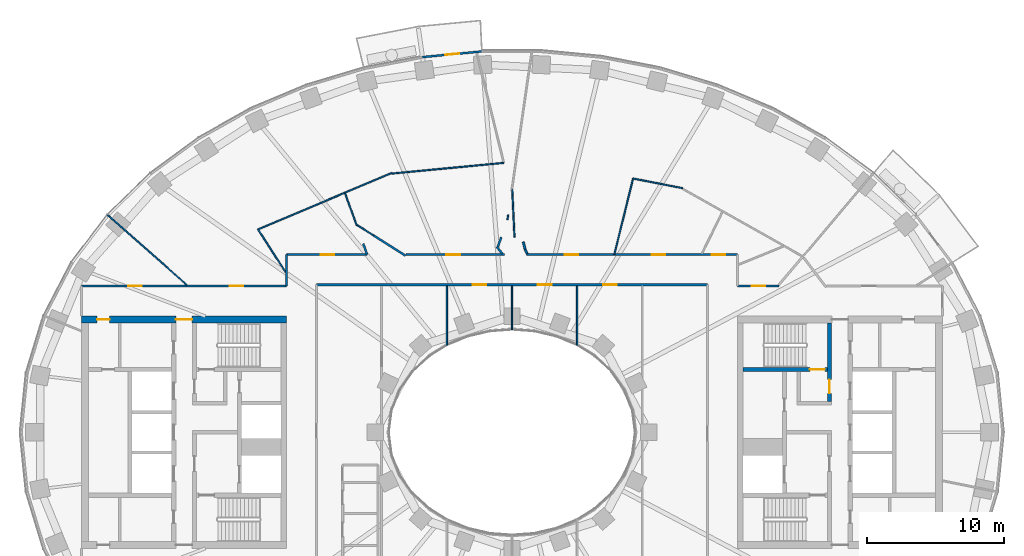
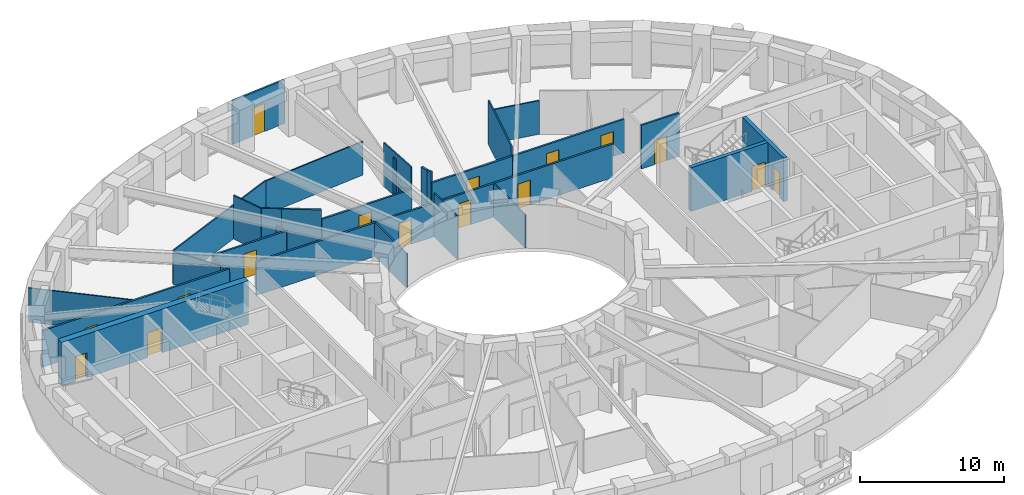
# One storey, part 6 of 16: 31 walls, 16 doors, 16 openings.
"""IFC4 building model written with IfcOpenShell, lengths in metres."""

import ifcopenshell
import ifcopenshell.guid

model = None  # the IFC model being written
_history = None  # IfcOwnerHistory: only IFC2X3 demands one
_inside = {}  # id of a spatial element -> (the spatial element, [elements in it])
_under = {}  # id of a project, library or spatial element -> (it, [spatial elements below it])
_declared = {}  # id of a project -> (the project, [libraries it declares])
_typed = {}  # id of a type object -> (the type object, [elements of that type])
_made_of = {}  # id of a material, layer set ... -> (it, [elements and type objects made of it])


def new_model(schema):
    """Start an empty IFC model of exactly this schema.

    Asked for "IFC4X3", IfcOpenShell would pick the latest addendum, in which some entities
    have other attributes; the version numbers below select the first issue.
    IFC2X3 requires an IfcOwnerHistory on every rooted entity: one is made here for all.
    """
    global model, _history
    if schema == "IFC4X3":
        model = ifcopenshell.file(schema_version=(4, 3, 0, 0))
    else:
        model = ifcopenshell.file(schema=schema)
    _inside.clear()
    _under.clear()
    _declared.clear()
    _typed.clear()
    _made_of.clear()
    _history = None
    if model.schema == "IFC2X3":
        org = make("IfcOrganization", Name="unknown")
        user = make(
            "IfcPersonAndOrganization",
            ThePerson=make("IfcPerson", FamilyName="unknown"),
            TheOrganization=org,
        )
        app = make(
            "IfcApplication",
            ApplicationDeveloper=org,
            Version="unknown",
            ApplicationFullName="unknown",
            ApplicationIdentifier="unknown",
        )
        _history = make(
            "IfcOwnerHistory",
            OwningUser=user,
            OwningApplication=app,
            ChangeAction="ADDED",
            CreationDate=0,
        )
    return model


def make(cls, **values):
    """One entity of the class cls with the attributes given. An attribute that is None is left unset."""
    return model.create_entity(
        cls, **{name: value for name, value in values.items() if value is not None}
    )


def rooted(cls, **values):
    """An entity with a GlobalId (a new one), such as an element, a storey or a relation."""
    return make(cls, GlobalId=ifcopenshell.guid.new(), OwnerHistory=_history, **values)


def si_unit(unit_type, name, prefix=None):
    """IfcSIUnit, for example si_unit("LENGTHUNIT", "METRE", prefix="MILLI")."""
    return make("IfcSIUnit", UnitType=unit_type, Prefix=prefix, Name=name)


def assignment(units):
    """IfcUnitAssignment: the units of a project."""
    return None if units is None else make("IfcUnitAssignment", Units=units)


def point(xyz):
    """IfcCartesianPoint."""
    return None if xyz is None else make("IfcCartesianPoint", Coordinates=xyz)


def direction(xyz):
    """IfcDirection."""
    return None if xyz is None else make("IfcDirection", DirectionRatios=xyz)


def frame(location, z_axis=None, x_axis=None):
    """IfcAxis2Placement3D, a coordinate frame: its origin and axes. An axis left out is left unset."""
    return make(
        "IfcAxis2Placement3D",
        Location=point(location),
        Axis=direction(z_axis),
        RefDirection=direction(x_axis),
    )


def frame_2d(location, x_axis=None):
    """IfcAxis2Placement2D, a coordinate frame in the plane: its origin and x axis."""
    return make(
        "IfcAxis2Placement2D", Location=point(location), RefDirection=direction(x_axis)
    )


def origin():
    """The frame at (0, 0, 0) with its axes left unset."""
    return frame((0.0, 0.0, 0.0))


def place(relative_to, where):
    """IfcLocalPlacement: puts the frame where relative to a parent placement (None: the world)."""
    return make(
        "IfcLocalPlacement", PlacementRelTo=relative_to, RelativePlacement=where
    )


def context(
    kind, dimensions, precision=None, world=None, true_north=None, identifier=None
):
    """IfcGeometricRepresentationContext, for example the 3D "Model" context."""
    return make(
        "IfcGeometricRepresentationContext",
        ContextIdentifier=identifier,
        ContextType=kind,
        CoordinateSpaceDimension=dimensions,
        Precision=precision,
        WorldCoordinateSystem=world,
        TrueNorth=true_north,
    )


def subcontext(parent, identifier, kind, view, scale=None):
    """IfcGeometricRepresentationSubContext, for example "Body" below "Model"."""
    return make(
        "IfcGeometricRepresentationSubContext",
        ContextIdentifier=identifier,
        ContextType=kind,
        ParentContext=parent,
        TargetScale=scale,
        TargetView=view,
    )


def project(units=None, contexts=None):
    """IfcProject with its units and contexts."""
    return rooted(
        "IfcProject",
        Name="project",
        RepresentationContexts=contexts,
        UnitsInContext=assignment(units),
    )


def spatial(cls, under=None, at=None, **own):
    """A site, building, storey or space (cls), placed at a placement, below another one or the project."""
    s = rooted(cls, ObjectPlacement=at, **own)
    if under is not None:
        _under.setdefault(under.id(), (under, []))[1].append(s)
    return s


def profile(cls, at=None, kind="AREA", **sizes):
    """A parametric profile (cls). Its sizes go by their IFC names, for example OverallWidth=200.0."""
    return make(cls, ProfileType=kind, Position=at, **sizes)


def rectangle(**sizes):
    """IfcRectangleProfileDef."""
    return profile("IfcRectangleProfileDef", **sizes)


def extrude(swept, where, along, depth):
    """IfcExtrudedAreaSolid: the profile swept, set in the frame where, extruded along a direction by depth."""
    return make(
        "IfcExtrudedAreaSolid",
        SweptArea=swept,
        Position=where,
        ExtrudedDirection=direction(along),
        Depth=depth,
    )


def shape(context_of_items, identifier, shape_type, items):
    """IfcShapeRepresentation: the items that make up one representation, for example the "Body"."""
    return make(
        "IfcShapeRepresentation",
        ContextOfItems=context_of_items,
        RepresentationIdentifier=identifier,
        RepresentationType=shape_type,
        Items=items,
    )


def material(Name=None, Category=None):
    """IfcMaterial."""
    return make("IfcMaterial", Name=Name, Category=Category)


def layer(
    of_material, thickness, ventilated=None, Name=None, Category=None, Priority=None
):
    """IfcMaterialLayer: one layer of a wall or slab, of a material (None: an air gap)."""
    return make(
        "IfcMaterialLayer",
        Material=of_material,
        LayerThickness=thickness,
        IsVentilated=ventilated,
        Name=Name,
        Category=Category,
        Priority=Priority,
    )


def layer_set(layers, Name=None):
    """IfcMaterialLayerSet."""
    return make("IfcMaterialLayerSet", MaterialLayers=layers, LayerSetName=Name)


def made_of(thing, what):
    """Note that an element or type object is made of a material, layer set ...; save() writes the relation."""
    if what is not None:
        _made_of.setdefault(what.id(), (what, []))[1].append(thing)
    return thing


def type_object(cls, material=None, **own):
    """A type object (cls), such as IfcWallType, which elements share."""
    return made_of(rooted(cls, **own), material)


def element(
    cls,
    number,
    at=None,
    inside=None,
    cuts=None,
    type_object=None,
    material=None,
    context=None,
    identifier="Body",
    shape_type=None,
    held_by="IfcProductDefinitionShape",
    body=None,
    shapes=None,
    **own,
):
    """One element of the class cls, such as IfcWall. Its Tag is "e" and its number.

    at: its placement. inside: the storey or other place that contains it. cuts: it is an
    opening in that element (IfcRelVoidsElement). A single representation is given by context,
    identifier, shape_type and body (its items); several are given by shapes. held_by: the class
    of the entity that holds the representations. save() writes the other relations.
    """
    e = rooted(cls, Tag="e%d" % number, ObjectPlacement=at, **own)
    if body is not None:
        shapes = [shape(context, identifier, shape_type, body)]
    if shapes is not None:
        e.Representation = make(held_by, Representations=shapes)
    if inside is not None:
        _inside.setdefault(inside.id(), (inside, []))[1].append(e)
    if cuts is not None:
        rooted(
            "IfcRelVoidsElement", RelatingBuildingElement=cuts, RelatedOpeningElement=e
        )
    if type_object is not None:
        _typed.setdefault(type_object.id(), (type_object, []))[1].append(e)
    return made_of(e, material)


def fill(opening, filler):
    """IfcRelFillsElement: the door or window that sits in an opening."""
    return rooted(
        "IfcRelFillsElement",
        RelatingOpeningElement=opening,
        RelatedBuildingElement=filler,
    )


def aggregate(whole, parts):
    """IfcRelAggregates: a whole, such as a stair, and the parts it consists of."""
    return rooted("IfcRelAggregates", RelatingObject=whole, RelatedObjects=parts)


def save(model, path):
    """Write the relations noted so far, then the file.

    IfcRelAggregates (storeys below a building ...), IfcRelContainedInSpatialStructure (elements
    in a storey), IfcRelDefinesByType, IfcRelAssociatesMaterial and IfcRelDeclares: one each for
    every whole, place, type object, material and project.
    """
    for whole, parts in _under.values():
        aggregate(whole, parts)
    for where, things in _inside.values():
        rooted(
            "IfcRelContainedInSpatialStructure",
            RelatedElements=things,
            RelatingStructure=where,
        )
    for kind, things in _typed.values():
        rooted("IfcRelDefinesByType", RelatedObjects=things, RelatingType=kind)
    for what, things in _made_of.values():
        rooted("IfcRelAssociatesMaterial", RelatedObjects=things, RelatingMaterial=what)
    for by, libraries in _declared.values():
        rooted("IfcRelDeclares", RelatingContext=by, RelatedDefinitions=libraries)
    model.write(path)


model = new_model("IFC4")

# Units and contexts
model_context = context("Model", 3, precision=1e-05, world=origin(), true_north=direction((0.0, 1.0)))
body_context = subcontext(model_context, "Body", "Model", "MODEL_VIEW")
ifc_project = project(units=[si_unit("LENGTHUNIT", "METRE"), si_unit("AREAUNIT", "SQUARE_METRE"), si_unit("VOLUMEUNIT", "CUBIC_METRE"), si_unit("PLANEANGLEUNIT", "RADIAN"), si_unit("MASSUNIT", "GRAM", prefix="KILO")], contexts=[model_context])

# Site, building, storey
site_placement = place(None, origin())
site = spatial("IfcSite", under=ifc_project, at=site_placement, CompositionType="ELEMENT")
building_placement = place(site_placement, origin())
building = spatial("IfcBuilding", under=site, at=building_placement, Name="Noorbagh Ring Tower", CompositionType="ELEMENT")
storey_placement = place(building_placement, frame((0.0, 0.0, 96.0)))
storey = spatial("IfcBuildingStorey", under=building, at=storey_placement, Name="L21", CompositionType="ELEMENT", Elevation=96.0)

# Wall, opening, door
ifc_material_1 = material(Name="Concrete C70/85", Category="concrete")
ifc_layer_1 = layer(ifc_material_1, 0.300048828125)
ifc_layer_set_1 = layer_set([ifc_layer_1], Name="Concrete C70/85")
wall_type_1 = type_object("IfcWallType", Name="CORE-WALL-300-C70-85-EI240", PredefinedType="SHEAR", material=ifc_layer_set_1)
wall_1_placement = place(storey_placement, frame((23.22998046875, 2.25, 0.0), z_axis=(0.0, 0.0, 1.0), x_axis=(0.0, 1.0, 0.0)))
wall_1 = element("IfcWall", 1, at=wall_1_placement, inside=storey, type_object=wall_type_1, Name="Core wall E", PredefinedType="SHEAR", context=body_context, shape_type="SweptSolid", body=[
    extrude(rectangle(XDim=5.75, YDim=0.300048828125, at=frame_2d((2.875, 0.0))), origin(), (0.0, 0.0, 1.0), 3.699951171875),
])
opening_1_placement = place(wall_1_placement, frame((0.60009765625, 0.0, 0.0)))
opening_1 = element("IfcOpeningElement", 2, at=opening_1_placement, cuts=wall_1, Name="Opening L21-CE08", PredefinedType="OPENING", context=body_context, shape_type="SweptSolid", body=[
    extrude(rectangle(XDim=1.0, YDim=2.10009765625, at=frame_2d((0.5, 1.050048828125))), frame((0.0, 0.16015625, 0.0), z_axis=(0.0, -1.0, 0.0), x_axis=(1.0, 0.0, 0.0)), (0.0, 0.0, 1.0), 0.320068359375),
])
ifc_material_2 = material(Name="Steel door leaf", Category="steel")
door_type_1 = type_object("IfcDoorType", Name="CORE-DOOR-DVEST", OperationType="SINGLE_SWING_LEFT", PredefinedType="DOOR", material=ifc_material_2)
door_1_placement = place(opening_1_placement, origin())
door_1 = element("IfcDoor", 3, at=door_1_placement, inside=storey, type_object=door_type_1, Name="Stair vestibule door L21-CE08", OperationType="SINGLE_SWING_RIGHT", OverallHeight=2.10009765625, OverallWidth=1.0, PredefinedType="DOOR", context=body_context, shape_type="SweptSolid", body=[
    extrude(rectangle(XDim=1.0, YDim=2.10009765625, at=frame_2d((0.5, 1.050048828125))), frame((0.0, 0.02490234375, 0.0), z_axis=(0.0, -1.0, 0.0), x_axis=(1.0, 0.0, 0.0)), (0.0, 0.0, 1.0), 0.050048828125),
])
fill(opening_1, door_1)

wall_2_placement = place(storey_placement, frame((16.89990234375, 4.60009765625, 0.0), z_axis=(0.0, 0.0, 1.0), x_axis=(1.0, 0.0, 0.0)))
wall_2 = element("IfcWall", 4, at=wall_2_placement, inside=storey, type_object=wall_type_1, Name="Core wall E", PredefinedType="SHEAR", context=body_context, shape_type="SweptSolid", body=[
    extrude(rectangle(XDim=6.18017578125, YDim=0.300048828125, at=frame_2d((3.090087890625, 0.0))), origin(), (0.0, 0.0, 1.0), 3.699951171875),
])
opening_2_placement = place(wall_2_placement, frame((4.89990234375, 0.0, 0.0)))
opening_2 = element("IfcOpeningElement", 5, at=opening_2_placement, cuts=wall_2, Name="Opening L21-CE05", PredefinedType="OPENING", context=body_context, shape_type="SweptSolid", body=[
    extrude(rectangle(XDim=1.10009765625, YDim=2.10009765625, at=frame_2d((0.550048828125, 1.050048828125))), frame((0.0, 0.16015625, 0.0), z_axis=(0.0, -1.0, 0.0), x_axis=(1.0, 0.0, 0.0)), (0.0, 0.0, 1.0), 0.320068359375),
])
ifc_material_3 = material(Name="Steel door leaf", Category="steel")
door_type_2 = type_object("IfcDoorType", Name="CORE-DOOR-DSTAIR", OperationType="SINGLE_SWING_LEFT", PredefinedType="DOOR", material=ifc_material_3)
door_2_placement = place(opening_2_placement, origin())
door_2 = element("IfcDoor", 6, at=door_2_placement, inside=storey, type_object=door_type_2, Name="Stair door ST3 L21-CE05", OperationType="SINGLE_SWING_LEFT", OverallHeight=2.10009765625, OverallWidth=1.10009765625, PredefinedType="DOOR", context=body_context, shape_type="SweptSolid", body=[
    extrude(rectangle(XDim=1.10009765625, YDim=2.10009765625, at=frame_2d((0.550048828125, 1.050048828125))), frame((0.0, 0.02490234375, 0.0), z_axis=(0.0, -1.0, 0.0), x_axis=(1.0, 0.0, 0.0)), (0.0, 0.0, 1.0), 0.050048828125),
])
fill(opening_2, door_2)

# Wall, openings, doors
ifc_material_4 = material(Name="Concrete C70/85", Category="concrete")
ifc_layer_2 = layer(ifc_material_4, 0.5)
ifc_layer_set_2 = layer_set([ifc_layer_2], Name="Concrete C70/85")
wall_type_2 = type_object("IfcWallType", Name="CORE-WALL-500-C70-85-EI240", PredefinedType="SHEAR", material=ifc_layer_set_2)
wall_3_placement = place(storey_placement, frame((-16.5, 8.25, 0.0), z_axis=(0.0, 0.0, 1.0), x_axis=(-1.0, 0.0, 0.0)))
wall_3 = element("IfcWall", 7, at=wall_3_placement, inside=storey, type_object=wall_type_2, Name="Core wall W", PredefinedType="SHEAR", context=body_context, shape_type="SweptSolid", body=[
    extrude(rectangle(XDim=15.0, YDim=0.5, at=frame_2d((7.5, 0.0))), origin(), (0.0, 0.0, 1.0), 3.699951171875),
])
opening_3_placement = place(wall_3_placement, frame((6.89990234375, 0.0, 0.0)))
opening_3 = element("IfcOpeningElement", 8, at=opening_3_placement, cuts=wall_3, Name="Opening L21-CW09", PredefinedType="OPENING", context=body_context, shape_type="SweptSolid", body=[
    extrude(rectangle(XDim=1.199951171875, YDim=2.10009765625, at=frame_2d((0.60009765625, 1.050048828125))), frame((0.0, 0.260009765625, 0.0), z_axis=(0.0, -1.0, 0.0), x_axis=(1.0, 0.0, 0.0)), (0.0, 0.0, 1.0), 0.52001953125),
])
opening_4_placement = place(wall_3_placement, frame((12.949951171875, 0.0, 0.0)))
opening_4 = element("IfcOpeningElement", 9, at=opening_4_placement, cuts=wall_3, Name="Opening L21-CW13", PredefinedType="OPENING", context=body_context, shape_type="SweptSolid", body=[
    extrude(rectangle(XDim=0.89990234375, YDim=2.10009765625, at=frame_2d((0.449951171875, 1.050048828125))), frame((0.0, 0.260009765625, 0.0), z_axis=(0.0, -1.0, 0.0), x_axis=(1.0, 0.0, 0.0)), (0.0, 0.0, 1.0), 0.52001953125),
])
ifc_material_5 = material(Name="Steel door leaf", Category="steel")
door_type_3 = type_object("IfcDoorType", Name="CORE-DOOR-DROOM", OperationType="SINGLE_SWING_LEFT", PredefinedType="DOOR", material=ifc_material_5)
door_3_placement = place(opening_4_placement, origin())
door_3 = element("IfcDoor", 10, at=door_3_placement, inside=storey, type_object=door_type_3, Name="Core room door L21-CW13", OperationType="SINGLE_SWING_RIGHT", OverallHeight=2.10009765625, OverallWidth=0.89990234375, PredefinedType="DOOR", context=body_context, shape_type="SweptSolid", body=[
    extrude(rectangle(XDim=0.89990234375, YDim=2.10009765625, at=frame_2d((0.449951171875, 1.050048828125))), frame((0.0, 0.02490234375, 0.0), z_axis=(0.0, -1.0, 0.0), x_axis=(1.0, 0.0, 0.0)), (0.0, 0.0, 1.0), 0.050048828125),
])
fill(opening_4, door_3)
ifc_material_6 = material(Name="Steel door leaf", Category="steel")
door_type_4 = type_object("IfcDoorType", Name="CORE-DOOR-PORT", OperationType="DOUBLE_DOOR_DOUBLE_SWING", PredefinedType="DOOR", material=ifc_material_6)
door_4_placement = place(opening_3_placement, origin())
door_4 = element("IfcDoor", 11, at=door_4_placement, inside=storey, type_object=door_type_4, Name="Core entrance door L21-CW09", OperationType="DOUBLE_DOOR_DOUBLE_SWING", OverallHeight=2.10009765625, OverallWidth=1.199951171875, PredefinedType="DOOR", context=body_context, shape_type="SweptSolid", body=[
    extrude(rectangle(XDim=1.199951171875, YDim=2.10009765625, at=frame_2d((0.60009765625, 1.050048828125))), frame((0.0, 0.02490234375, 0.0), z_axis=(0.0, -1.0, 0.0), x_axis=(1.0, 0.0, 0.0)), (0.0, 0.0, 1.0), 0.050048828125),
])
fill(opening_3, door_4)

ifc_material_7 = material(Name="Gypsum board on steel studs", Category="steel")
ifc_layer_3 = layer(ifc_material_7, 0.14990234375)
ifc_layer_set_3 = layer_set([ifc_layer_3], Name="Gypsum board on steel studs")
wall_type_3 = type_object("IfcWallType", Name="CORRIDOR PARTITION 150 EI 30", PredefinedType="PARTITIONING", material=ifc_layer_set_3)
wall_4_placement = place(storey_placement, frame((-31.5, 10.699951171875, 0.0), z_axis=(0.0, 0.0, 1.0), x_axis=(1.0, 0.0, 0.0)))
wall_4 = element("IfcWall", 12, at=wall_4_placement, inside=storey, type_object=wall_type_3, Name="L21/wall/P05", PredefinedType="PARTITIONING", context=body_context, shape_type="SweptSolid", body=[
    extrude(rectangle(XDim=15.0, YDim=0.14990234375, at=frame_2d((7.5, 0.0))), origin(), (0.0, 0.0, 1.0), 3.10009765625),
])
opening_5_placement = place(wall_4_placement, frame((3.403076171875, 0.0, 0.0)))
opening_5 = element("IfcOpeningElement", 13, at=opening_5_placement, cuts=wall_4, Name="Opening D1", PredefinedType="OPENING", context=body_context, shape_type="SweptSolid", body=[
    extrude(rectangle(XDim=1.0, YDim=2.10009765625, at=frame_2d((0.5, 1.050048828125))), frame((0.0, 0.0849609375, 0.0), z_axis=(0.0, -1.0, 0.0), x_axis=(1.0, 0.0, 0.0)), (0.0, 0.0, 1.0), 0.169921875),
])
opening_6_placement = place(wall_4_placement, frame((10.85009765625, 0.0, 0.0)))
opening_6 = element("IfcOpeningElement", 14, at=opening_6_placement, cuts=wall_4, Name="Opening D1", PredefinedType="OPENING", context=body_context, shape_type="SweptSolid", body=[
    extrude(rectangle(XDim=1.0, YDim=2.10009765625, at=frame_2d((0.5, 1.050048828125))), frame((0.0, 0.0849609375, 0.0), z_axis=(0.0, -1.0, 0.0), x_axis=(1.0, 0.0, 0.0)), (0.0, 0.0, 1.0), 0.169921875),
])
ifc_material_8 = material(Name="Timber, painted", Category="wood")
door_type_5 = type_object("IfcDoorType", Name="DOOR 1000 X 2100 FD30", OperationType="SINGLE_SWING_LEFT", PredefinedType="DOOR", material=ifc_material_8)
door_5_placement = place(opening_5_placement, origin())
door_5 = element("IfcDoor", 15, at=door_5_placement, inside=storey, type_object=door_type_5, Name="L21-D07", OperationType="SINGLE_SWING_LEFT", OverallHeight=2.10009765625, OverallWidth=1.0, PredefinedType="DOOR", context=body_context, shape_type="SweptSolid", body=[
    extrude(rectangle(XDim=1.0, YDim=2.10009765625, at=frame_2d((0.5, 1.050048828125))), frame((0.0, 0.02490234375, 0.0), z_axis=(0.0, -1.0, 0.0), x_axis=(1.0, 0.0, 0.0)), (0.0, 0.0, 1.0), 0.050048828125),
])
fill(opening_5, door_5)
door_6_placement = place(opening_6_placement, origin())
door_6 = element("IfcDoor", 16, at=door_6_placement, inside=storey, type_object=door_type_5, Name="L21-D09", OperationType="SINGLE_SWING_LEFT", OverallHeight=2.10009765625, OverallWidth=1.0, PredefinedType="DOOR", context=body_context, shape_type="SweptSolid", body=[
    extrude(rectangle(XDim=1.0, YDim=2.10009765625, at=frame_2d((0.5, 1.050048828125))), frame((0.0, 0.02490234375, 0.0), z_axis=(0.0, -1.0, 0.0), x_axis=(1.0, 0.0, 0.0)), (0.0, 0.0, 1.0), 0.050048828125),
])
fill(opening_6, door_6)

# Wall
wall_5_placement = place(storey_placement, frame((-16.5, 10.699951171875, 0.0), z_axis=(0.0, 0.0, 1.0), x_axis=(0.0, 1.0, 0.0)))
element("IfcWall", 17, at=wall_5_placement, inside=storey, type_object=wall_type_3, Name="L21/wall/P14", PredefinedType="PARTITIONING", context=body_context, shape_type="SweptSolid", body=[
    extrude(rectangle(XDim=2.300048828125, YDim=0.14990234375, at=frame_2d((1.14990234375, 0.0))), origin(), (0.0, 0.0, 1.0), 2.75),
])

# Wall, opening, door
wall_6_placement = place(storey_placement, frame((-16.5, 13.0, 0.0), z_axis=(0.0, 0.0, 1.0), x_axis=(1.0, 0.0, 0.0)))
wall_6 = element("IfcWall", 18, at=wall_6_placement, inside=storey, type_object=wall_type_3, Name="L21/wall/P15", PredefinedType="PARTITIONING", context=body_context, shape_type="SweptSolid", body=[
    extrude(rectangle(XDim=5.89306640625, YDim=0.14990234375, at=frame_2d((2.946533203125, 0.0))), origin(), (0.0, 0.0, 1.0), 2.85009765625),
])
opening_7_placement = place(wall_6_placement, frame((2.492919921875, 0.0, 0.0)))
opening_7 = element("IfcOpeningElement", 19, at=opening_7_placement, cuts=wall_6, Name="Opening D1", PredefinedType="OPENING", context=body_context, shape_type="SweptSolid", body=[
    extrude(rectangle(XDim=1.0, YDim=2.10009765625, at=frame_2d((0.5, 1.050048828125))), frame((0.0, 0.0849609375, 0.0), z_axis=(0.0, -1.0, 0.0), x_axis=(1.0, 0.0, 0.0)), (0.0, 0.0, 1.0), 0.169921875),
])
door_7_placement = place(opening_7_placement, origin())
door_7 = element("IfcDoor", 20, at=door_7_placement, inside=storey, type_object=door_type_5, Name="L21-D11", OperationType="SINGLE_SWING_LEFT", OverallHeight=2.10009765625, OverallWidth=1.0, PredefinedType="DOOR", context=body_context, shape_type="SweptSolid", body=[
    extrude(rectangle(XDim=1.0, YDim=2.10009765625, at=frame_2d((0.5, 1.050048828125))), frame((0.0, 0.02490234375, 0.0), z_axis=(0.0, -1.0, 0.0), x_axis=(1.0, 0.0, 0.0)), (0.0, 0.0, 1.0), 0.050048828125),
])
fill(opening_7, door_7)

# Wall, openings, doors
wall_7_placement = place(storey_placement, frame((-14.300048828125, 10.800048828125, 0.0), z_axis=(0.0, 0.0, 1.0), x_axis=(1.0, 0.0, 0.0)))
wall_7 = element("IfcWall", 21, at=wall_7_placement, inside=storey, type_object=wall_type_3, Name="L21/wall/P18", PredefinedType="PARTITIONING", context=body_context, shape_type="SweptSolid", body=[
    extrude(rectangle(XDim=28.60009765625, YDim=0.14990234375, at=frame_2d((14.300048828125, 0.0))), origin(), (0.0, 0.0, 1.0), 2.85009765625),
])
opening_8_placement = place(wall_7_placement, frame((11.43310546875, 0.0, 0.0)))
opening_8 = element("IfcOpeningElement", 22, at=opening_8_placement, cuts=wall_7, Name="Opening D1", PredefinedType="OPENING", context=body_context, shape_type="SweptSolid", body=[
    extrude(rectangle(XDim=1.0, YDim=2.10009765625, at=frame_2d((0.5, 1.050048828125))), frame((0.0, 0.0849609375, 0.0), z_axis=(0.0, -1.0, 0.0), x_axis=(1.0, 0.0, 0.0)), (0.0, 0.0, 1.0), 0.169921875),
])
opening_9_placement = place(wall_7_placement, frame((16.199951171875, 0.0, 0.0)))
opening_9 = element("IfcOpeningElement", 23, at=opening_9_placement, cuts=wall_7, Name="Opening D1", PredefinedType="OPENING", context=body_context, shape_type="SweptSolid", body=[
    extrude(rectangle(XDim=1.0, YDim=2.10009765625, at=frame_2d((0.5, 1.050048828125))), frame((0.0, 0.0849609375, 0.0), z_axis=(0.0, -1.0, 0.0), x_axis=(1.0, 0.0, 0.0)), (0.0, 0.0, 1.0), 0.169921875),
])
opening_10_placement = place(wall_7_placement, frame((20.967041015625, 0.0, 0.0)))
opening_10 = element("IfcOpeningElement", 24, at=opening_10_placement, cuts=wall_7, Name="Opening D1", PredefinedType="OPENING", context=body_context, shape_type="SweptSolid", body=[
    extrude(rectangle(XDim=1.0, YDim=2.10009765625, at=frame_2d((0.5, 1.050048828125))), frame((0.0, 0.0849609375, 0.0), z_axis=(0.0, -1.0, 0.0), x_axis=(1.0, 0.0, 0.0)), (0.0, 0.0, 1.0), 0.169921875),
])
door_8_placement = place(opening_8_placement, origin())
door_8 = element("IfcDoor", 25, at=door_8_placement, inside=storey, type_object=door_type_5, Name="L21-D29", OperationType="SINGLE_SWING_LEFT", OverallHeight=2.10009765625, OverallWidth=1.0, PredefinedType="DOOR", context=body_context, shape_type="SweptSolid", body=[
    extrude(rectangle(XDim=1.0, YDim=2.10009765625, at=frame_2d((0.5, 1.050048828125))), frame((0.0, 0.02490234375, 0.0), z_axis=(0.0, -1.0, 0.0), x_axis=(1.0, 0.0, 0.0)), (0.0, 0.0, 1.0), 0.050048828125),
])
fill(opening_8, door_8)
door_9_placement = place(opening_9_placement, origin())
door_9 = element("IfcDoor", 26, at=door_9_placement, inside=storey, type_object=door_type_5, Name="L21-D31", OperationType="SINGLE_SWING_LEFT", OverallHeight=2.10009765625, OverallWidth=1.0, PredefinedType="DOOR", context=body_context, shape_type="SweptSolid", body=[
    extrude(rectangle(XDim=1.0, YDim=2.10009765625, at=frame_2d((0.5, 1.050048828125))), frame((0.0, 0.02490234375, 0.0), z_axis=(0.0, -1.0, 0.0), x_axis=(1.0, 0.0, 0.0)), (0.0, 0.0, 1.0), 0.050048828125),
])
fill(opening_9, door_9)
door_10_placement = place(opening_10_placement, origin())
door_10 = element("IfcDoor", 27, at=door_10_placement, inside=storey, type_object=door_type_5, Name="L21-D32", OperationType="SINGLE_SWING_RIGHT", OverallHeight=2.10009765625, OverallWidth=1.0, PredefinedType="DOOR", context=body_context, shape_type="SweptSolid", body=[
    extrude(rectangle(XDim=1.0, YDim=2.10009765625, at=frame_2d((0.5, 1.050048828125))), frame((0.0, 0.02490234375, 0.0), z_axis=(0.0, -1.0, 0.0), x_axis=(1.0, 0.0, 0.0)), (0.0, 0.0, 1.0), 0.050048828125),
])
fill(opening_10, door_10)

# Walls
wall_8_placement = place(storey_placement, frame((-10.886962890625, 13.81201171875, 0.0), z_axis=(0.0, 0.0, 1.0), x_axis=(0.338378813476, -0.941009977944, 0.0)))
element("IfcWall", 28, at=wall_8_placement, inside=storey, type_object=wall_type_3, Name="L21/wall/P31", PredefinedType="PARTITIONING", context=body_context, shape_type="SweptSolid", body=[
    extrude(rectangle(XDim=0.863037109375, YDim=0.14990234375, at=frame_2d((0.431640625, 0.0))), origin(), (0.0, 0.0, 1.0), 2.85009765625),
])
wall_9_placement = place(storey_placement, frame((-10.136962890625, 14.4130859375, 0.0), z_axis=(0.0, 0.0, 1.0), x_axis=(0.844666662568, -0.535292657475, 0.0)))
element("IfcWall", 29, at=wall_9_placement, inside=storey, type_object=wall_type_3, Name="L21/wall/P33", PredefinedType="PARTITIONING", context=body_context, shape_type="SweptSolid", body=[
    extrude(rectangle(XDim=2.776123046875, YDim=0.14990234375, at=frame_2d((1.38818359375, 0.0))), origin(), (0.0, 0.0, 1.0), 3.699951171875),
])

# Wall, opening, door
wall_10_placement = place(storey_placement, frame((-7.76708984375, 13.0, 0.0), z_axis=(0.0, 0.0, 1.0), x_axis=(1.0, 0.0, 0.0)))
wall_10 = element("IfcWall", 30, at=wall_10_placement, inside=storey, type_object=wall_type_3, Name="L21/wall/P40", PredefinedType="PARTITIONING", context=body_context, shape_type="SweptSolid", body=[
    extrude(rectangle(XDim=7.22314453125, YDim=0.14990234375, at=frame_2d((3.611572265625, 0.0))), origin(), (0.0, 0.0, 1.0), 2.85009765625),
])
opening_11_placement = place(wall_10_placement, frame((2.97412109375, 0.0, 0.0)))
opening_11 = element("IfcOpeningElement", 31, at=opening_11_placement, cuts=wall_10, Name="Opening D1", PredefinedType="OPENING", context=body_context, shape_type="SweptSolid", body=[
    extrude(rectangle(XDim=1.0, YDim=2.10009765625, at=frame_2d((0.5, 1.050048828125))), frame((0.0, 0.0849609375, 0.0), z_axis=(0.0, -1.0, 0.0), x_axis=(1.0, 0.0, 0.0)), (0.0, 0.0, 1.0), 0.169921875),
])
door_11_placement = place(opening_11_placement, origin())
door_11 = element("IfcDoor", 32, at=door_11_placement, inside=storey, type_object=door_type_5, Name="L21-D13", OperationType="SINGLE_SWING_LEFT", OverallHeight=2.10009765625, OverallWidth=1.0, PredefinedType="DOOR", context=body_context, shape_type="SweptSolid", body=[
    extrude(rectangle(XDim=1.0, YDim=2.10009765625, at=frame_2d((0.5, 1.050048828125))), frame((0.0, 0.02490234375, 0.0), z_axis=(0.0, -1.0, 0.0), x_axis=(1.0, 0.0, 0.0)), (0.0, 0.0, 1.0), 0.050048828125),
])
fill(opening_11, door_11)

# Walls
wall_11_placement = place(storey_placement, frame((-1.1220703125, 13.570068359375, 0.0), z_axis=(0.0, 0.0, 1.0), x_axis=(0.648780487805, -0.760975609756, 0.0)))
element("IfcWall", 33, at=wall_11_placement, inside=storey, type_object=wall_type_3, Name="L21/wall/P48", PredefinedType="PARTITIONING", context=body_context, shape_type="SweptSolid", body=[
    extrude(rectangle(XDim=0.650634765625, YDim=0.14990234375, at=frame_2d((0.3251953125, 0.0))), origin(), (0.0, 0.0, 1.0), 2.85009765625),
])
wall_12_placement = place(storey_placement, frame((-1.034912109375, 13.5859375, 0.0), z_axis=(0.0, 0.0, 1.0), x_axis=(0.337939421495, 0.941167863561, 0.0)))
element("IfcWall", 34, at=wall_12_placement, inside=storey, type_object=wall_type_3, Name="L21/wall/P49", PredefinedType="PARTITIONING", context=body_context, shape_type="SweptSolid", body=[
    extrude(rectangle(XDim=0.74267578125, YDim=0.14990234375, at=frame_2d((0.371337890625, 0.0))), origin(), (0.0, 0.0, 1.0), 2.85009765625),
])
wall_13_placement = place(storey_placement, frame((0.830078125, 13.93310546875, 0.0), z_axis=(0.0, 0.0, 1.0), x_axis=(0.239578315167, -0.970877042113, 0.0)))
element("IfcWall", 35, at=wall_13_placement, inside=storey, type_object=wall_type_3, Name="L21/wall/P57", PredefinedType="PARTITIONING", context=body_context, shape_type="SweptSolid", body=[
    extrude(rectangle(XDim=0.5634765625, YDim=0.14990234375, at=frame_2d((0.28173828125, 0.0))), origin(), (0.0, 0.0, 1.0), 3.699951171875),
])
wall_14_placement = place(storey_placement, frame((0.968994140625, 13.368896484375, 0.0), z_axis=(0.0, 0.0, 1.0), x_axis=(0.440240923942, -0.897879685084, 0.0)))
element("IfcWall", 36, at=wall_14_placement, inside=storey, type_object=wall_type_3, Name="L21/wall/P60", PredefinedType="PARTITIONING", context=body_context, shape_type="SweptSolid", body=[
    extrude(rectangle(XDim=0.32275390625, YDim=0.14990234375, at=frame_2d((0.161376953125, 0.0))), origin(), (0.0, 0.0, 1.0), 3.699951171875),
])

# Wall, opening, door
wall_15_placement = place(storey_placement, frame((1.06103515625, 13.0, 0.0), z_axis=(0.0, 0.0, 1.0), x_axis=(1.0, 0.0, 0.0)))
wall_15 = element("IfcWall", 37, at=wall_15_placement, inside=storey, type_object=wall_type_3, Name="L21/wall/P62", PredefinedType="PARTITIONING", context=body_context, shape_type="SweptSolid", body=[
    extrude(rectangle(XDim=6.421875, YDim=0.14990234375, at=frame_2d((3.2109375, 0.0))), origin(), (0.0, 0.0, 1.0), 2.85009765625),
])
opening_12_placement = place(wall_15_placement, frame((2.7880859375, 0.0, 0.0)))
opening_12 = element("IfcOpeningElement", 38, at=opening_12_placement, cuts=wall_15, Name="Opening D1", PredefinedType="OPENING", context=body_context, shape_type="SweptSolid", body=[
    extrude(rectangle(XDim=1.0, YDim=2.10009765625, at=frame_2d((0.5, 1.050048828125))), frame((0.0, 0.0849609375, 0.0), z_axis=(0.0, -1.0, 0.0), x_axis=(1.0, 0.0, 0.0)), (0.0, 0.0, 1.0), 0.169921875),
])
door_12_placement = place(opening_12_placement, origin())
door_12 = element("IfcDoor", 39, at=door_12_placement, inside=storey, type_object=door_type_5, Name="L21-D15", OperationType="SINGLE_SWING_LEFT", OverallHeight=2.10009765625, OverallWidth=1.0, PredefinedType="DOOR", context=body_context, shape_type="SweptSolid", body=[
    extrude(rectangle(XDim=1.0, YDim=2.10009765625, at=frame_2d((0.5, 1.050048828125))), frame((0.0, 0.02490234375, 0.0), z_axis=(0.0, -1.0, 0.0), x_axis=(1.0, 0.0, 0.0)), (0.0, 0.0, 1.0), 0.050048828125),
])
fill(opening_12, door_12)

# Wall, openings, doors
wall_16_placement = place(storey_placement, frame((7.4990234375, 13.0, 0.0), z_axis=(0.0, 0.0, 1.0), x_axis=(1.0, 0.0, 0.0)))
wall_16 = element("IfcWall", 40, at=wall_16_placement, inside=storey, type_object=wall_type_3, Name="L21/wall/P69", PredefinedType="PARTITIONING", context=body_context, shape_type="SweptSolid", body=[
    extrude(rectangle(XDim=9.0009765625, YDim=0.14990234375, at=frame_2d((4.50048828125, 0.0))), origin(), (0.0, 0.0, 1.0), 2.85009765625),
])
opening_13_placement = place(wall_16_placement, frame((2.721923828125, 0.0, 0.0)))
opening_13 = element("IfcOpeningElement", 41, at=opening_13_placement, cuts=wall_16, Name="Opening D1", PredefinedType="OPENING", context=body_context, shape_type="SweptSolid", body=[
    extrude(rectangle(XDim=1.0, YDim=2.10009765625, at=frame_2d((0.5, 1.050048828125))), frame((0.0, 0.0849609375, 0.0), z_axis=(0.0, -1.0, 0.0), x_axis=(1.0, 0.0, 0.0)), (0.0, 0.0, 1.0), 0.169921875),
])
opening_14_placement = place(wall_16_placement, frame((7.10107421875, 0.0, 0.0)))
opening_14 = element("IfcOpeningElement", 42, at=opening_14_placement, cuts=wall_16, Name="Opening D1", PredefinedType="OPENING", context=body_context, shape_type="SweptSolid", body=[
    extrude(rectangle(XDim=1.0, YDim=2.10009765625, at=frame_2d((0.5, 1.050048828125))), frame((0.0, 0.0849609375, 0.0), z_axis=(0.0, -1.0, 0.0), x_axis=(1.0, 0.0, 0.0)), (0.0, 0.0, 1.0), 0.169921875),
])
door_13_placement = place(opening_13_placement, origin())
door_13 = element("IfcDoor", 43, at=door_13_placement, inside=storey, type_object=door_type_5, Name="L21-D18", OperationType="SINGLE_SWING_RIGHT", OverallHeight=2.10009765625, OverallWidth=1.0, PredefinedType="DOOR", context=body_context, shape_type="SweptSolid", body=[
    extrude(rectangle(XDim=1.0, YDim=2.10009765625, at=frame_2d((0.5, 1.050048828125))), frame((0.0, 0.02490234375, 0.0), z_axis=(0.0, -1.0, 0.0), x_axis=(1.0, 0.0, 0.0)), (0.0, 0.0, 1.0), 0.050048828125),
])
fill(opening_13, door_13)
door_14_placement = place(opening_14_placement, origin())
door_14 = element("IfcDoor", 44, at=door_14_placement, inside=storey, type_object=door_type_5, Name="L21-D20", OperationType="SINGLE_SWING_RIGHT", OverallHeight=2.10009765625, OverallWidth=1.0, PredefinedType="DOOR", context=body_context, shape_type="SweptSolid", body=[
    extrude(rectangle(XDim=1.0, YDim=2.10009765625, at=frame_2d((0.5, 1.050048828125))), frame((0.0, 0.02490234375, 0.0), z_axis=(0.0, -1.0, 0.0), x_axis=(1.0, 0.0, 0.0)), (0.0, 0.0, 1.0), 0.050048828125),
])
fill(opening_14, door_14)

# Wall, opening, door
wall_17_placement = place(storey_placement, frame((16.5, 10.699951171875, 0.0), z_axis=(0.0, 0.0, 1.0), x_axis=(1.0, 0.0, 0.0)))
wall_17 = element("IfcWall", 45, at=wall_17_placement, inside=storey, type_object=wall_type_3, Name="L21/wall/P81", PredefinedType="PARTITIONING", context=body_context, shape_type="SweptSolid", body=[
    extrude(rectangle(XDim=3.04296875, YDim=0.14990234375, at=frame_2d((1.521484375, 0.0))), origin(), (0.0, 0.0, 1.0), 3.699951171875),
])
opening_15_placement = place(wall_17_placement, frame((1.044921875, 0.0, 0.0)))
opening_15 = element("IfcOpeningElement", 46, at=opening_15_placement, cuts=wall_17, Name="Opening D1", PredefinedType="OPENING", context=body_context, shape_type="SweptSolid", body=[
    extrude(rectangle(XDim=1.0, YDim=2.10009765625, at=frame_2d((0.5, 1.050048828125))), frame((0.0, 0.0849609375, 0.0), z_axis=(0.0, -1.0, 0.0), x_axis=(1.0, 0.0, 0.0)), (0.0, 0.0, 1.0), 0.169921875),
])
door_15_placement = place(opening_15_placement, origin())
door_15 = element("IfcDoor", 47, at=door_15_placement, inside=storey, type_object=door_type_5, Name="L21-D22", OperationType="SINGLE_SWING_RIGHT", OverallHeight=2.10009765625, OverallWidth=1.0, PredefinedType="DOOR", context=body_context, shape_type="SweptSolid", body=[
    extrude(rectangle(XDim=1.0, YDim=2.10009765625, at=frame_2d((0.5, 1.050048828125))), frame((0.0, 0.02490234375, 0.0), z_axis=(0.0, -1.0, 0.0), x_axis=(1.0, 0.0, 0.0)), (0.0, 0.0, 1.0), 0.050048828125),
])
fill(opening_15, door_15)

ifc_material_9 = material(Name="Insulated aluminium clad panel", Category="aluminium")
ifc_layer_4 = layer(ifc_material_9, 0.14990234375)
ifc_layer_set_4 = layer_set([ifc_layer_4], Name="Insulated aluminium clad panel")
wall_type_4 = type_object("IfcWallType", Name="ENV-WALL-DOOR", PredefinedType="STANDARD", material=ifc_layer_set_4)
wall_18_placement = place(storey_placement, frame((-2.166259765625, 27.875244140625, 0.0), z_axis=(0.0, 0.0, 1.0), x_axis=(-0.995473879823, -0.095035543824, 0.0)))
wall_18 = element("IfcWall", 48, at=wall_18_placement, inside=storey, type_object=wall_type_4, Name="Balcony door wall chord 13", PredefinedType="STANDARD", context=body_context, shape_type="SweptSolid", body=[
    extrude(rectangle(XDim=4.42626953125, YDim=0.14990234375, at=frame_2d((2.213134765625, 0.0))), origin(), (0.0, 0.0, 1.0), 3.699951171875),
])
opening_16_placement = place(wall_18_placement, frame((1.713134765625, 0.0, 0.0)))
opening_16 = element("IfcOpeningElement", 49, at=opening_16_placement, cuts=wall_18, Name="Opening D-BL", PredefinedType="OPENING", context=body_context, shape_type="SweptSolid", body=[
    extrude(rectangle(XDim=1.0, YDim=2.39990234375, at=frame_2d((0.5, 1.199951171875))), frame((0.0, 0.0849609375, 0.0), z_axis=(0.0, -1.0, 0.0), x_axis=(1.0, 0.0, 0.0)), (0.0, 0.0, 1.0), 0.169921875),
])
ifc_material_10 = material(Name="Aluminium and glass", Category="aluminium")
door_type_6 = type_object("IfcDoorType", Name="ENV-DOOR-BALCONY", OperationType="SINGLE_SWING_LEFT", PredefinedType="DOOR", material=ifc_material_10)
door_16_placement = place(opening_16_placement, origin())
door_16 = element("IfcDoor", 50, at=door_16_placement, inside=storey, type_object=door_type_6, Name="Balcony door chord 13", OperationType="SINGLE_SWING_RIGHT", OverallHeight=2.39990234375, OverallWidth=1.0, PredefinedType="DOOR", context=body_context, shape_type="SweptSolid", body=[
    extrude(rectangle(XDim=1.0, YDim=2.39990234375, at=frame_2d((0.5, 1.199951171875))), frame((0.0, 0.02490234375, 0.0), z_axis=(0.0, -1.0, 0.0), x_axis=(1.0, 0.0, 0.0)), (0.0, 0.0, 1.0), 0.050048828125),
])
fill(opening_16, door_16)

# Walls
ifc_material_11 = material(Name="Gypsum board on steel studs", Category="steel")
ifc_layer_5 = layer(ifc_material_11, 0.10009765625)
ifc_layer_set_5 = layer_set([ifc_layer_5], Name="Gypsum board on steel studs")
wall_type_5 = type_object("IfcWallType", Name="PARTITION 100 GYPSUM", PredefinedType="PARTITIONING", material=ifc_layer_set_5)
wall_19_placement = place(storey_placement, frame((-29.569091796875, 15.89501953125, 0.0), z_axis=(0.0, 0.0, 1.0), x_axis=(0.748985701008, -0.662586160198, 0.0)))
element("IfcWall", 51, at=wall_19_placement, inside=storey, type_object=wall_type_5, Name="L21/wall/P06", PredefinedType="PARTITIONING", context=body_context, shape_type="SweptSolid", body=[
    extrude(rectangle(XDim=7.72265625, YDim=0.10009765625, at=frame_2d((3.861328125, 0.0))), origin(), (0.0, 0.0, 1.0), 2.89990234375),
])
wall_20_placement = place(storey_placement, frame((-18.5859375, 14.84912109375, 0.0), z_axis=(0.0, 0.0, 1.0), x_axis=(0.542227325377, -0.840231829684, 0.0)))
element("IfcWall", 52, at=wall_20_placement, inside=storey, type_object=wall_type_5, Name="L21/wall/P10", PredefinedType="PARTITIONING", context=body_context, shape_type="SweptSolid", body=[
    extrude(rectangle(XDim=3.708740234375, YDim=0.10009765625, at=frame_2d((1.8544921875, 0.0))), origin(), (0.0, 0.0, 1.0), 2.75),
])
wall_21_placement = place(storey_placement, frame((-18.5859375, 14.84912109375, 0.0), z_axis=(0.0, 0.0, 1.0), x_axis=(0.921309292198, 0.388830539066, 0.0)))
element("IfcWall", 53, at=wall_21_placement, inside=storey, type_object=wall_type_5, Name="L21/wall/P11", PredefinedType="PARTITIONING", context=body_context, shape_type="SweptSolid", body=[
    extrude(rectangle(XDim=10.608642578125, YDim=0.10009765625, at=frame_2d((5.30419921875, 0.0))), origin(), (0.0, 0.0, 1.0), 2.85009765625),
])
wall_22_placement = place(storey_placement, frame((-12.208984375, 17.486083984375, 0.0), z_axis=(0.0, 0.0, 1.0), x_axis=(0.338698771758, -0.940894862357, 0.0)))
element("IfcWall", 54, at=wall_22_placement, inside=storey, type_object=wall_type_5, Name="L21/wall/P26", PredefinedType="PARTITIONING", context=body_context, shape_type="SweptSolid", body=[
    extrude(rectangle(XDim=2.50634765625, YDim=0.10009765625, at=frame_2d((1.253173828125, 0.0))), origin(), (0.0, 0.0, 1.0), 3.699951171875),
])
wall_23_placement = place(storey_placement, frame((-11.319091796875, 15.160888671875, 0.0), z_axis=(0.0, 0.0, 1.0), x_axis=(0.845102975348, -0.534603555037, 0.0)))
element("IfcWall", 55, at=wall_23_placement, inside=storey, type_object=wall_type_5, Name="L21/wall/P29", PredefinedType="PARTITIONING", context=body_context, shape_type="SweptSolid", body=[
    extrude(rectangle(XDim=1.398681640625, YDim=0.10009765625, at=frame_2d((0.69921875, 0.0))), origin(), (0.0, 0.0, 1.0), 3.699951171875),
])
wall_24_placement = place(storey_placement, frame((-8.802001953125, 18.93505859375, 0.0), z_axis=(0.0, 0.0, 1.0), x_axis=(0.995486812939, 0.094899975054, 0.0)))
element("IfcWall", 56, at=wall_24_placement, inside=storey, type_object=wall_type_5, Name="L21/wall/P38", PredefinedType="PARTITIONING", context=body_context, shape_type="SweptSolid", body=[
    extrude(rectangle(XDim=8.239990234375, YDim=0.10009765625, at=frame_2d((4.1201171875, 0.0))), origin(), (0.0, 0.0, 1.0), 2.85009765625),
])
wall_25_placement = place(storey_placement, frame((-4.76708984375, 6.363037109375, 0.0), z_axis=(0.0, 0.0, 1.0), x_axis=(0.0, 1.0, 0.0)))
element("IfcWall", 57, at=wall_25_placement, inside=storey, type_object=wall_type_5, Name="L21/wall/P44", PredefinedType="PARTITIONING", context=body_context, shape_type="SweptSolid", body=[
    extrude(rectangle(XDim=4.362060546875, YDim=0.10009765625, at=frame_2d((2.18115234375, 0.0))), origin(), (0.0, 0.0, 1.0), 2.89990234375),
])
wall_26_placement = place(storey_placement, frame((-0.3310546875, 15.551025390625, 0.0), z_axis=(0.0, 0.0, 1.0), x_axis=(0.142155020728, 0.989844407006, 0.0)))
element("IfcWall", 58, at=wall_26_placement, inside=storey, type_object=wall_type_5, Name="L21/wall/P51", PredefinedType="PARTITIONING", context=body_context, shape_type="SweptSolid", body=[
    extrude(rectangle(XDim=0.372802734375, YDim=0.10009765625, at=frame_2d((0.1865234375, 0.0))), origin(), (0.0, 0.0, 1.0), 3.699951171875),
])
wall_27_placement = place(storey_placement, frame((0.0, 7.50390625, 0.0), z_axis=(0.0, 0.0, 1.0), x_axis=(0.0, 1.0, 0.0)))
element("IfcWall", 59, at=wall_27_placement, inside=storey, type_object=wall_type_5, Name="L21/wall/P54", PredefinedType="PARTITIONING", context=body_context, shape_type="SweptSolid", body=[
    extrude(rectangle(XDim=3.22119140625, YDim=0.10009765625, at=frame_2d((1.610595703125, 0.0))), origin(), (0.0, 0.0, 1.0), 3.699951171875),
])
wall_28_placement = place(storey_placement, frame((0.01611328125, 17.76708984375, 0.0), z_axis=(0.0, 0.0, 1.0), x_axis=(0.047839350467, -0.99885504281, 0.0)))
element("IfcWall", 60, at=wall_28_placement, inside=storey, type_object=wall_type_5, Name="L21/wall/P55", PredefinedType="PARTITIONING", context=body_context, shape_type="SweptSolid", body=[
    extrude(rectangle(XDim=3.510986328125, YDim=0.10009765625, at=frame_2d((1.75537109375, 0.0))), origin(), (0.0, 0.0, 1.0), 3.699951171875),
])
wall_29_placement = place(storey_placement, frame((4.76708984375, 6.363037109375, 0.0), z_axis=(0.0, 0.0, 1.0), x_axis=(0.0, 1.0, 0.0)))
element("IfcWall", 61, at=wall_29_placement, inside=storey, type_object=wall_type_5, Name="L21/wall/P65", PredefinedType="PARTITIONING", context=body_context, shape_type="SweptSolid", body=[
    extrude(rectangle(XDim=4.362060546875, YDim=0.10009765625, at=frame_2d((2.18115234375, 0.0))), origin(), (0.0, 0.0, 1.0), 2.85009765625),
])
wall_30_placement = place(storey_placement, frame((7.48291015625, 13.0, 0.0), z_axis=(0.0, 0.0, 1.0), x_axis=(0.239702552944, 0.970846376165, 0.0)))
element("IfcWall", 62, at=wall_30_placement, inside=storey, type_object=wall_type_5, Name="L21/wall/P67", PredefinedType="PARTITIONING", context=body_context, shape_type="SweptSolid", body=[
    extrude(rectangle(XDim=5.740234375, YDim=0.10009765625, at=frame_2d((2.8701171875, 0.0))), origin(), (0.0, 0.0, 1.0), 3.699951171875),
])
wall_31_placement = place(storey_placement, frame((8.85888671875, 18.572998046875, 0.0), z_axis=(0.0, 0.0, 1.0), x_axis=(0.981554610727, -0.191181971328, 0.0)))
element("IfcWall", 63, at=wall_31_placement, inside=storey, type_object=wall_type_5, Name="L21/wall/P70", PredefinedType="PARTITIONING", context=body_context, shape_type="SweptSolid", body=[
    extrude(rectangle(XDim=3.703369140625, YDim=0.10009765625, at=frame_2d((1.8515625, 0.0))), origin(), (0.0, 0.0, 1.0), 2.85009765625),
])

save(model, "model.ifc")
